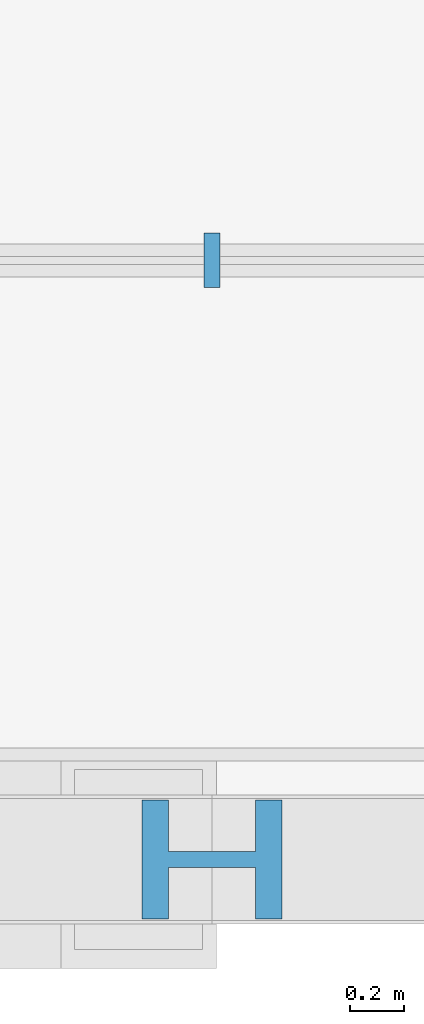
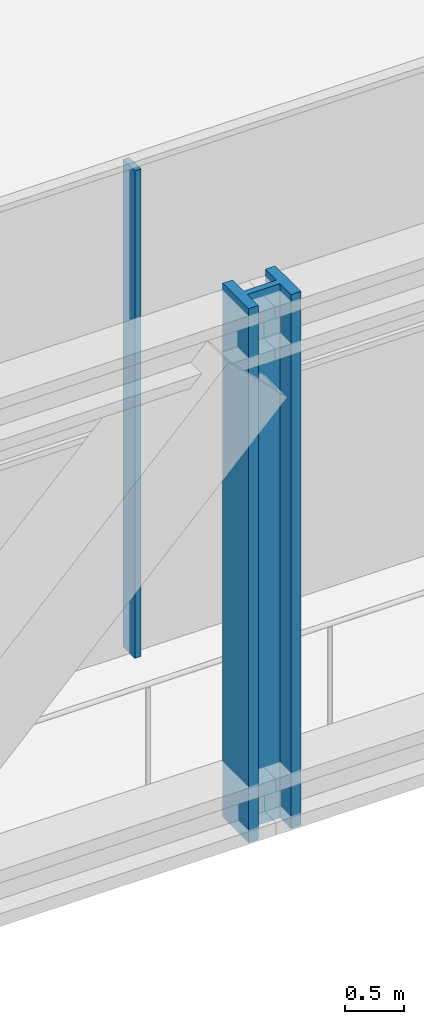
# One storey, part 6 of 30: 2 members, 1 element without a shape of its own.
"""IFC4 building model written with IfcOpenShell, lengths in metres."""

import ifcopenshell
import ifcopenshell.guid

model = None  # the IFC model being written
_history = None  # IfcOwnerHistory: only IFC2X3 demands one
_inside = {}  # id of a spatial element -> (the spatial element, [elements in it])
_under = {}  # id of a project, library or spatial element -> (it, [spatial elements below it])
_declared = {}  # id of a project -> (the project, [libraries it declares])
_typed = {}  # id of a type object -> (the type object, [elements of that type])
_made_of = {}  # id of a material, layer set ... -> (it, [elements and type objects made of it])


def new_model(schema):
    """Start an empty IFC model of exactly this schema.

    Asked for "IFC4X3", IfcOpenShell would pick the latest addendum, in which some entities
    have other attributes; the version numbers below select the first issue.
    IFC2X3 requires an IfcOwnerHistory on every rooted entity: one is made here for all.
    """
    global model, _history
    if schema == "IFC4X3":
        model = ifcopenshell.file(schema_version=(4, 3, 0, 0))
    else:
        model = ifcopenshell.file(schema=schema)
    _inside.clear()
    _under.clear()
    _declared.clear()
    _typed.clear()
    _made_of.clear()
    _history = None
    if model.schema == "IFC2X3":
        org = make("IfcOrganization", Name="unknown")
        user = make(
            "IfcPersonAndOrganization",
            ThePerson=make("IfcPerson", FamilyName="unknown"),
            TheOrganization=org,
        )
        app = make(
            "IfcApplication",
            ApplicationDeveloper=org,
            Version="unknown",
            ApplicationFullName="unknown",
            ApplicationIdentifier="unknown",
        )
        _history = make(
            "IfcOwnerHistory",
            OwningUser=user,
            OwningApplication=app,
            ChangeAction="ADDED",
            CreationDate=0,
        )
    return model


def make(cls, **values):
    """One entity of the class cls with the attributes given. An attribute that is None is left unset."""
    return model.create_entity(
        cls, **{name: value for name, value in values.items() if value is not None}
    )


def rooted(cls, **values):
    """An entity with a GlobalId (a new one), such as an element, a storey or a relation."""
    return make(cls, GlobalId=ifcopenshell.guid.new(), OwnerHistory=_history, **values)


def si_unit(unit_type, name, prefix=None):
    """IfcSIUnit, for example si_unit("LENGTHUNIT", "METRE", prefix="MILLI")."""
    return make("IfcSIUnit", UnitType=unit_type, Prefix=prefix, Name=name)


def assignment(units):
    """IfcUnitAssignment: the units of a project."""
    return None if units is None else make("IfcUnitAssignment", Units=units)


def point(xyz):
    """IfcCartesianPoint."""
    return None if xyz is None else make("IfcCartesianPoint", Coordinates=xyz)


def direction(xyz):
    """IfcDirection."""
    return None if xyz is None else make("IfcDirection", DirectionRatios=xyz)


def frame(location, z_axis=None, x_axis=None):
    """IfcAxis2Placement3D, a coordinate frame: its origin and axes. An axis left out is left unset."""
    return make(
        "IfcAxis2Placement3D",
        Location=point(location),
        Axis=direction(z_axis),
        RefDirection=direction(x_axis),
    )


def frame_2d(location, x_axis=None):
    """IfcAxis2Placement2D, a coordinate frame in the plane: its origin and x axis."""
    return make(
        "IfcAxis2Placement2D", Location=point(location), RefDirection=direction(x_axis)
    )


def origin():
    """The frame at (0, 0, 0) with its axes left unset."""
    return frame((0.0, 0.0, 0.0))


def origin_2d():
    """The frame at (0, 0) in the plane with its x axis left unset."""
    return frame_2d((0.0, 0.0))


def place(relative_to, where):
    """IfcLocalPlacement: puts the frame where relative to a parent placement (None: the world)."""
    return make(
        "IfcLocalPlacement", PlacementRelTo=relative_to, RelativePlacement=where
    )


def context(
    kind, dimensions, precision=None, world=None, true_north=None, identifier=None
):
    """IfcGeometricRepresentationContext, for example the 3D "Model" context."""
    return make(
        "IfcGeometricRepresentationContext",
        ContextIdentifier=identifier,
        ContextType=kind,
        CoordinateSpaceDimension=dimensions,
        Precision=precision,
        WorldCoordinateSystem=world,
        TrueNorth=true_north,
    )


def subcontext(parent, identifier, kind, view, scale=None):
    """IfcGeometricRepresentationSubContext, for example "Body" below "Model"."""
    return make(
        "IfcGeometricRepresentationSubContext",
        ContextIdentifier=identifier,
        ContextType=kind,
        ParentContext=parent,
        TargetScale=scale,
        TargetView=view,
    )


def project(units=None, contexts=None):
    """IfcProject with its units and contexts."""
    return rooted(
        "IfcProject",
        Name="project",
        RepresentationContexts=contexts,
        UnitsInContext=assignment(units),
    )


def spatial(cls, under=None, at=None, **own):
    """A site, building, storey or space (cls), placed at a placement, below another one or the project."""
    s = rooted(cls, ObjectPlacement=at, **own)
    if under is not None:
        _under.setdefault(under.id(), (under, []))[1].append(s)
    return s


def profile(cls, at=None, kind="AREA", **sizes):
    """A parametric profile (cls). Its sizes go by their IFC names, for example OverallWidth=200.0."""
    return make(cls, ProfileType=kind, Position=at, **sizes)


def rectangle(**sizes):
    """IfcRectangleProfileDef."""
    return profile("IfcRectangleProfileDef", **sizes)


def i_section(**sizes):
    """IfcIShapeProfileDef."""
    return profile("IfcIShapeProfileDef", **sizes)


def extrude(swept, where, along, depth):
    """IfcExtrudedAreaSolid: the profile swept, set in the frame where, extruded along a direction by depth."""
    return make(
        "IfcExtrudedAreaSolid",
        SweptArea=swept,
        Position=where,
        ExtrudedDirection=direction(along),
        Depth=depth,
    )


def shape(context_of_items, identifier, shape_type, items):
    """IfcShapeRepresentation: the items that make up one representation, for example the "Body"."""
    return make(
        "IfcShapeRepresentation",
        ContextOfItems=context_of_items,
        RepresentationIdentifier=identifier,
        RepresentationType=shape_type,
        Items=items,
    )


def material(Name=None, Category=None):
    """IfcMaterial."""
    return make("IfcMaterial", Name=Name, Category=Category)


def layer(
    of_material, thickness, ventilated=None, Name=None, Category=None, Priority=None
):
    """IfcMaterialLayer: one layer of a wall or slab, of a material (None: an air gap)."""
    return make(
        "IfcMaterialLayer",
        Material=of_material,
        LayerThickness=thickness,
        IsVentilated=ventilated,
        Name=Name,
        Category=Category,
        Priority=Priority,
    )


def layer_set(layers, Name=None):
    """IfcMaterialLayerSet."""
    return make("IfcMaterialLayerSet", MaterialLayers=layers, LayerSetName=Name)


def material_profile(
    of_material, cross_section, Name=None, Category=None, Priority=None
):
    """IfcMaterialProfile: a cross section and its material."""
    return make(
        "IfcMaterialProfile",
        Name=Name,
        Material=of_material,
        Profile=cross_section,
        Priority=Priority,
        Category=Category,
    )


def profile_set(profiles, Name=None, composite=None):
    """IfcMaterialProfileSet."""
    return make(
        "IfcMaterialProfileSet",
        Name=Name,
        MaterialProfiles=profiles,
        CompositeProfile=composite,
    )


def made_of(thing, what):
    """Note that an element or type object is made of a material, layer set ...; save() writes the relation."""
    if what is not None:
        _made_of.setdefault(what.id(), (what, []))[1].append(thing)
    return thing


def type_object(cls, material=None, **own):
    """A type object (cls), such as IfcWallType, which elements share."""
    return made_of(rooted(cls, **own), material)


def element(
    cls,
    number,
    at=None,
    inside=None,
    cuts=None,
    type_object=None,
    material=None,
    context=None,
    identifier="Body",
    shape_type=None,
    held_by="IfcProductDefinitionShape",
    body=None,
    shapes=None,
    **own,
):
    """One element of the class cls, such as IfcWall. Its Tag is "e" and its number.

    at: its placement. inside: the storey or other place that contains it. cuts: it is an
    opening in that element (IfcRelVoidsElement). A single representation is given by context,
    identifier, shape_type and body (its items); several are given by shapes. held_by: the class
    of the entity that holds the representations. save() writes the other relations.
    """
    e = rooted(cls, Tag="e%d" % number, ObjectPlacement=at, **own)
    if body is not None:
        shapes = [shape(context, identifier, shape_type, body)]
    if shapes is not None:
        e.Representation = make(held_by, Representations=shapes)
    if inside is not None:
        _inside.setdefault(inside.id(), (inside, []))[1].append(e)
    if cuts is not None:
        rooted(
            "IfcRelVoidsElement", RelatingBuildingElement=cuts, RelatedOpeningElement=e
        )
    if type_object is not None:
        _typed.setdefault(type_object.id(), (type_object, []))[1].append(e)
    return made_of(e, material)


def aggregate(whole, parts):
    """IfcRelAggregates: a whole, such as a stair, and the parts it consists of."""
    return rooted("IfcRelAggregates", RelatingObject=whole, RelatedObjects=parts)


def save(model, path):
    """Write the relations noted so far, then the file.

    IfcRelAggregates (storeys below a building ...), IfcRelContainedInSpatialStructure (elements
    in a storey), IfcRelDefinesByType, IfcRelAssociatesMaterial and IfcRelDeclares: one each for
    every whole, place, type object, material and project.
    """
    for whole, parts in _under.values():
        aggregate(whole, parts)
    for where, things in _inside.values():
        rooted(
            "IfcRelContainedInSpatialStructure",
            RelatedElements=things,
            RelatingStructure=where,
        )
    for kind, things in _typed.values():
        rooted("IfcRelDefinesByType", RelatedObjects=things, RelatingType=kind)
    for what, things in _made_of.values():
        rooted("IfcRelAssociatesMaterial", RelatedObjects=things, RelatingMaterial=what)
    for by, libraries in _declared.values():
        rooted("IfcRelDeclares", RelatingContext=by, RelatedDefinitions=libraries)
    model.write(path)


model = new_model("IFC4")

# Units and contexts
model_context = context("Model", 3, precision=1e-05, world=origin(), true_north=direction((0.0, 1.0)))
body_context = subcontext(model_context, "Body", "Model", "MODEL_VIEW")
ifc_project = project(units=[si_unit("LENGTHUNIT", "METRE"), si_unit("AREAUNIT", "SQUARE_METRE"), si_unit("VOLUMEUNIT", "CUBIC_METRE"), si_unit("PLANEANGLEUNIT", "RADIAN"), si_unit("MASSUNIT", "GRAM", prefix="KILO")], contexts=[model_context])

# Site, building, storey
site_placement = place(None, origin())
site = spatial("IfcSite", under=ifc_project, at=site_placement, CompositionType="ELEMENT")
building_placement = place(site_placement, origin())
building = spatial("IfcBuilding", under=site, at=building_placement, Name="Madar Terraces", CompositionType="ELEMENT")
storey_placement = place(building_placement, frame((0.0, 0.0, 53.89990234375)))
storey = spatial("IfcBuildingStorey", under=building, at=storey_placement, Name="L13", CompositionType="ELEMENT", Elevation=53.89990234375)

# Curtain wall, member
ifc_material_1 = material(Name="Glass, ceramic frit dark grey, with black aluminium frame", Category="aluminium")
ifc_layer = layer(ifc_material_1, 0.199951171875)
ifc_layer_set = layer_set([ifc_layer], Name="Facade curtain wall, tall glazing")
curtain_wall_type = type_object("IfcCurtainWallType", Name="Facade curtain wall, tall glazing", PredefinedType="NOTDEFINED", material=ifc_layer_set)
curtain_wall_placement = place(storey_placement, origin())
curtain_wall = element("IfcCurtainWall", 1, at=curtain_wall_placement, inside=storey, type_object=curtain_wall_type, Name="Outer skin curtain wall south bay 1", PredefinedType="NOTDEFINED")
ifc_material_2 = material(Name="Aluminium, black anodised", Category="aluminium")
ifc_material_profile_1 = material_profile(ifc_material_2, rectangle(XDim=0.199951171875, YDim=0.06005859375, at=origin_2d()), Name="Facade mullion 60x200")
ifc_profile_set_1 = profile_set([ifc_material_profile_1], Name="Aluminium, black anodised")
member_type_1 = type_object("IfcMemberType", Name="Facade mullion 60x200", PredefinedType="MULLION", material=ifc_profile_set_1)
member_1_placement = place(storey_placement, frame((33.60009765625, 2.199951171875, 0.0), z_axis=(0.0, 0.0, 1.0), x_axis=(0.0, 1.0, 0.0)))
member_1 = element("IfcMember", 2, at=member_1_placement, type_object=member_type_1, Name="Mullion 5", PredefinedType="MULLION", context=body_context, shape_type="SweptSolid", body=[
    extrude(rectangle(XDim=0.199951171875, YDim=0.06005859375, at=origin_2d()), origin(), (0.0, 0.0, 1.0), 5.0400390625),
])
aggregate(curtain_wall, [member_1])

# Member
ifc_material_3 = material(Name="Steel ASTM A913 Grade 65", Category="steel")
ifc_material_profile_2 = material_profile(ifc_material_3, i_section(OverallWidth=0.436767578125, OverallDepth=0.51318359375, WebThickness=0.060546875, FlangeThickness=0.096923828125, at=origin_2d()), Name="W14x550")
ifc_profile_set_2 = profile_set([ifc_material_profile_2], Name="Steel ASTM A913 Grade 65")
member_type_2 = type_object("IfcMemberType", Name="TV2 W14x550", PredefinedType="POST", material=ifc_profile_set_2)
member_2_placement = place(storey_placement, frame((33.60009765625, 0.0, -0.419921875), z_axis=(0.0, 0.0, 1.0), x_axis=(0.0, 1.0, 0.0)))
element("IfcMember", 3, at=member_2_placement, inside=storey, type_object=member_type_2, Name="Exoskeleton truss ring post TV2", PredefinedType="POST", context=body_context, shape_type="SweptSolid", body=[
    extrude(i_section(OverallWidth=0.436767578125, OverallDepth=0.51318359375, WebThickness=0.060546875, FlangeThickness=0.096923828125, at=origin_2d()), origin(), (0.0, 0.0, 1.0), 5.52001953125),
])

save(model, "model.ifc")
